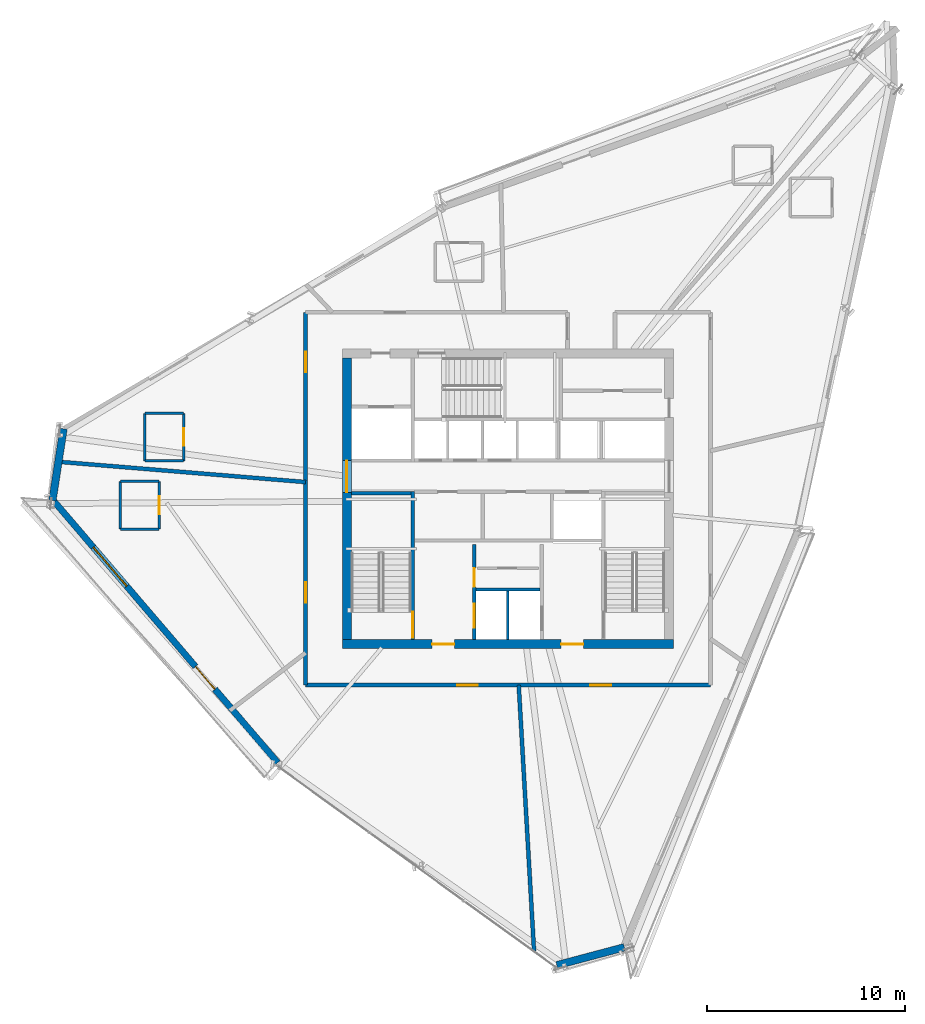
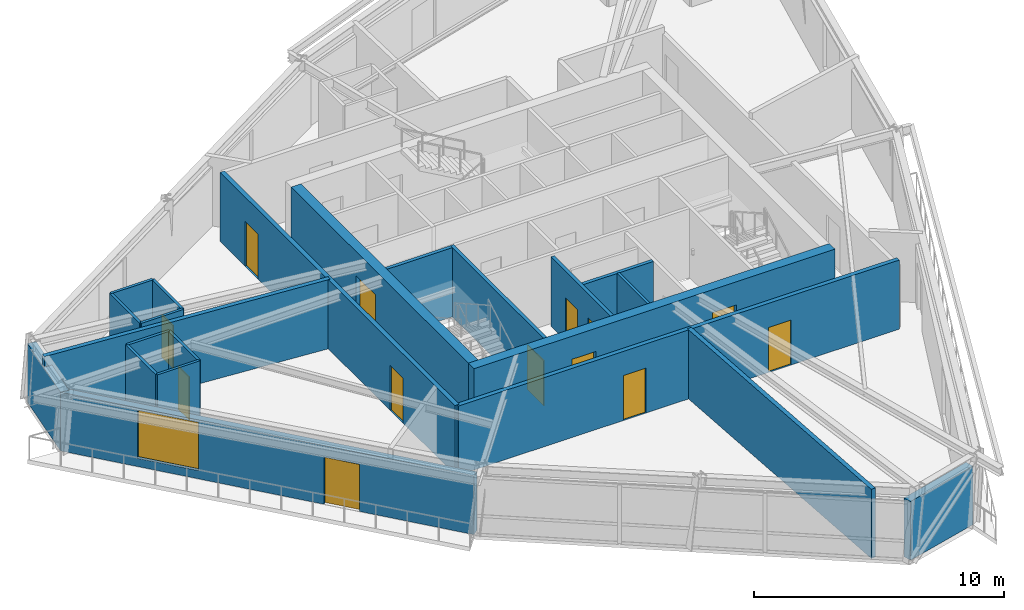
# One storey, part 8 of 14: 22 walls, 13 doors, 1 window, 14 openings.
"""IFC4 building model written with IfcOpenShell, lengths in metres."""

from ifc_helpers import new_model, si_unit, direction, frame, frame_2d, origin, place, context, subcontext, project, spatial, rectangle, extrude, source, transform, mapped, material, layer, layer_set, type_object, type_shapes, element, fill, save


model = new_model("IFC4")

# Units and contexts
model_context = context("Model", 3, precision=1e-05, world=origin(), true_north=direction((0.0, 1.0)))
body_context = subcontext(model_context, "Body", "Model", "MODEL_VIEW")
ifc_project = project(units=[si_unit("LENGTHUNIT", "METRE"), si_unit("AREAUNIT", "SQUARE_METRE"), si_unit("VOLUMEUNIT", "CUBIC_METRE"), si_unit("PLANEANGLEUNIT", "RADIAN"), si_unit("MASSUNIT", "GRAM", prefix="KILO")], contexts=[model_context])

# Site, building, storey
site_placement = place(None, origin())
site = spatial("IfcSite", under=ifc_project, at=site_placement, CompositionType="ELEMENT")
building_placement = place(site_placement, origin())
building = spatial("IfcBuilding", under=site, at=building_placement, Name="Olszyna Solenne Hotel", CompositionType="ELEMENT")
storey_placement = place(building_placement, frame((0.0, 0.0, 234.5)))
storey = spatial("IfcBuildingStorey", under=building, at=storey_placement, Name="L62", CompositionType="ELEMENT", Elevation=234.5)

# Wall, openings, doors
ifc_material_1 = material(Name="Concrete C50/60", Category="concrete")
ifc_layer_1 = layer(ifc_material_1, 0.449951171875, Name="Concrete C50/60")
ifc_layer_set_1 = layer_set([ifc_layer_1], Name="Concrete C50/60")
wall_type_1 = type_object("IfcWallType", Name="WL-CR450", PredefinedType="SHEAR", material=ifc_layer_set_1)
wall_1_placement = place(storey_placement, frame((46.35009765625, 19.27490234375, 0.0), z_axis=(0.0, 0.0, 1.0), x_axis=(-1.0, 0.0, 0.0)))
wall_1 = element("IfcWall", 1, at=wall_1_placement, inside=storey, type_object=wall_type_1, Name="Core shear wall WL-CR450 CRW-L62-S", PredefinedType="SHEAR", context=body_context, shape_type="SweptSolid", body=[
    extrude(rectangle(XDim=16.7001953125, YDim=0.449951171875, at=frame_2d((8.35009765625, 0.0))), origin(), (0.0, 0.0, 1.0), 3.3798828125),
])
opening_1_placement = place(wall_1_placement, frame((4.550048828125, 0.0, 0.0)))
opening_1 = element("IfcOpeningElement", 2, at=opening_1_placement, cuts=wall_1, Name="Opening FL-L62-1", PredefinedType="OPENING", context=body_context, shape_type="SweptSolid", body=[
    extrude(rectangle(XDim=1.1201171875, YDim=2.25, at=frame_2d((0.56005859375, 1.125))), frame((0.0, 0.23486328125, 0.0), z_axis=(0.0, -1.0, 0.0), x_axis=(1.0, 0.0, 0.0)), (0.0, 0.0, 1.0), 0.469970703125),
])
opening_2_placement = place(wall_1_placement, frame((11.050048828125, 0.0, 0.0)))
opening_2 = element("IfcOpeningElement", 3, at=opening_2_placement, cuts=wall_1, Name="Opening FL-L62-2", PredefinedType="OPENING", context=body_context, shape_type="SweptSolid", body=[
    extrude(rectangle(XDim=1.1201171875, YDim=2.25, at=frame_2d((0.56005859375, 1.125))), frame((0.0, 0.23486328125, 0.0), z_axis=(0.0, -1.0, 0.0), x_axis=(1.0, 0.0, 0.0)), (0.0, 0.0, 1.0), 0.469970703125),
])
ifc_material_2 = material(Name="Steel S355J2", Category="steel")
door_type_1 = type_object("IfcDoorType", Name="DR-FL1", OperationType="NOTDEFINED", PredefinedType="DOOR", material=ifc_material_2)
shared_shape_1 = source(origin(), body_context, "Body", "SweptSolid", [
    extrude(rectangle(XDim=1.1201171875, YDim=2.25, at=frame_2d((0.56005859375, 1.125))), frame((0.0, 0.02490234375, 0.0), z_axis=(0.0, -1.0, 0.0), x_axis=(1.0, 0.0, 0.0)), (0.0, 0.0, 1.0), 0.050048828125),
])
type_shapes(door_type_1, [shared_shape_1])
door_1_placement = place(opening_1_placement, origin())
door_1 = element("IfcDoor", 4, at=door_1_placement, inside=storey, type_object=door_type_1, Name="Firefighting lift lobby smoke door FL-L62-1", OperationType="SINGLE_SWING_LEFT", OverallHeight=2.25, OverallWidth=1.1201171875, PredefinedType="DOOR", context=body_context, shape_type="MappedRepresentation", body=[
    mapped(shared_shape_1, transform((0.0, 0.0, 0.0), x_axis=(1.0, 0.0, 0.0), y_axis=(0.0, 1.0, 0.0), z_axis=(0.0, 0.0, 1.0), scale=1.0)),
])
fill(opening_1, door_1)
door_2_placement = place(opening_2_placement, origin())
door_2 = element("IfcDoor", 5, at=door_2_placement, inside=storey, type_object=door_type_1, Name="Firefighting lift lobby smoke door FL-L62-2", OperationType="SINGLE_SWING_RIGHT", OverallHeight=2.25, OverallWidth=1.1201171875, PredefinedType="DOOR", context=body_context, shape_type="MappedRepresentation", body=[
    mapped(shared_shape_1, transform((0.0, 0.0, 0.0), x_axis=(1.0, 0.0, 0.0), y_axis=(0.0, 1.0, 0.0), z_axis=(0.0, 0.0, 1.0), scale=1.0)),
])
fill(opening_2, door_2)

# Wall, opening, door
wall_2_placement = place(storey_placement, frame((29.875, 19.5, 0.0), z_axis=(0.0, 0.0, 1.0), x_axis=(0.0, 1.0, 0.0)))
wall_2 = element("IfcWall", 6, at=wall_2_placement, inside=storey, type_object=wall_type_1, Name="Core shear wall WL-CR450 CRW-L62-W", PredefinedType="SHEAR", context=body_context, shape_type="SweptSolid", body=[
    extrude(rectangle(XDim=14.199951171875, YDim=0.449951171875, at=frame_2d((7.10009765625, 0.0))), origin(), (0.0, 0.0, 1.0), 3.3798828125),
])
opening_3_placement = place(wall_2_placement, frame((7.419921875, 0.0, 0.0)))
opening_3 = element("IfcOpeningElement", 7, at=opening_3_placement, cuts=wall_2, Name="Opening LHD-L62-W", PredefinedType="OPENING", context=body_context, shape_type="SweptSolid", body=[
    extrude(rectangle(XDim=1.60009765625, YDim=2.199951171875, at=frame_2d((0.800048828125, 1.10009765625))), frame((0.0, 0.23486328125, 0.0), z_axis=(0.0, -1.0, 0.0), x_axis=(1.0, 0.0, 0.0)), (0.0, 0.0, 1.0), 0.469970703125),
])
ifc_material_3 = material(Name="Timber hardwood", Category="wood")
door_type_2 = type_object("IfcDoorType", Name="DR-CR1", OperationType="DOUBLE_DOOR_SINGLE_SWING", PredefinedType="DOOR", material=ifc_material_3)
shared_shape_2 = source(origin(), body_context, "Body", "SweptSolid", [
    extrude(rectangle(XDim=1.60009765625, YDim=2.199951171875, at=frame_2d((0.800048828125, 1.10009765625))), frame((0.0, 0.02490234375, 0.0), z_axis=(0.0, -1.0, 0.0), x_axis=(1.0, 0.0, 0.0)), (0.0, 0.0, 1.0), 0.050048828125),
])
type_shapes(door_type_2, [shared_shape_2])
door_3_placement = place(opening_3_placement, origin())
door_3 = element("IfcDoor", 8, at=door_3_placement, inside=storey, type_object=door_type_2, Name="Passenger lift lobby West fire door LHD-L62-W", OperationType="DOUBLE_DOOR_SINGLE_SWING", OverallHeight=2.199951171875, OverallWidth=1.60009765625, PredefinedType="DOOR", context=body_context, shape_type="MappedRepresentation", body=[
    mapped(shared_shape_2, transform((0.0, 0.0, 0.0), x_axis=(1.0, 0.0, 0.0), y_axis=(0.0, 1.0, 0.0), z_axis=(0.0, 0.0, 1.0), scale=1.0)),
])
fill(opening_3, door_3)

# Wall, openings, door, window
ifc_material_4 = material(Name="Precast concrete C45/55", Category="concrete")
ifc_layer_2 = layer(ifc_material_4, 0.320068359375, Name="Precast concrete C45/55")
ifc_layer_set_2 = layer_set([ifc_layer_2], Name="Precast concrete C45/55")
wall_type_2 = type_object("IfcWallType", Name="WL-EX320", PredefinedType="SOLIDWALL", material=ifc_layer_set_2)
wall_3_placement = place(storey_placement, frame((26.392822265625, 13.293701171875, 0.0), z_axis=(0.0, 0.0, 1.0), x_axis=(-0.650264813907, 0.759707622573, 0.0)))
wall_3 = element("IfcWall", 9, at=wall_3_placement, inside=storey, type_object=wall_type_2, Name="Exterior terracotta-precast frame wall WL-EX320 EW-L62-04", PredefinedType="SOLIDWALL", context=body_context, shape_type="SweptSolid", body=[
    extrude(rectangle(XDim=17.569580078125, YDim=0.320068359375, at=frame_2d((8.78466796875, 0.0))), origin(), (0.0, 0.0, 1.0), 2.8720703125),
])
opening_4_placement = place(wall_3_placement, frame((4.8720703125, 0.0, 0.0)))
opening_4 = element("IfcOpeningElement", 10, at=opening_4_placement, cuts=wall_3, Name="Opening LDG-L62-2", PredefinedType="OPENING", context=body_context, shape_type="SweptSolid", body=[
    extrude(rectangle(XDim=1.5, YDim=2.300048828125, at=frame_2d((0.75, 1.14990234375))), frame((0.0, 0.169921875, 0.0), z_axis=(0.0, -1.0, 0.0), x_axis=(1.0, 0.0, 0.0)), (0.0, 0.0, 1.0), 0.340087890625),
])
opening_5_placement = place(wall_3_placement, frame((11.700927734375, 0.0, 0.402099609375)))
opening_5 = element("IfcOpeningElement", 11, at=opening_5_placement, cuts=wall_3, Name="Opening WN-L62-403", PredefinedType="OPENING", context=body_context, shape_type="SweptSolid", body=[
    extrude(rectangle(XDim=2.60009765625, YDim=2.35009765625, at=frame_2d((1.300048828125, 1.175048828125))), frame((0.0, 0.169921875, 0.0), z_axis=(0.0, -1.0, 0.0), x_axis=(1.0, 0.0, 0.0)), (0.0, 0.0, 1.0), 0.340087890625),
])
ifc_material_5 = material(Name="Anodised bronze aluminium", Category="aluminium")
door_type_3 = type_object("IfcDoorType", Name="DR-LG2", OperationType="DOUBLE_DOOR_SINGLE_SWING", PredefinedType="DOOR", material=ifc_material_5)
shared_shape_3 = source(origin(), body_context, "Body", "SweptSolid", [
    extrude(rectangle(XDim=1.5, YDim=2.300048828125, at=frame_2d((0.75, 1.14990234375))), frame((0.0, 0.02490234375, 0.0), z_axis=(0.0, -1.0, 0.0), x_axis=(1.0, 0.0, 0.0)), (0.0, 0.0, 1.0), 0.050048828125),
])
type_shapes(door_type_3, [shared_shape_3])
door_4_placement = place(opening_4_placement, origin())
door_4 = element("IfcDoor", 12, at=door_4_placement, inside=storey, type_object=door_type_3, Name="Exterior loggia balcony door DR-LG2 LDG-L62-2", OperationType="DOUBLE_DOOR_SINGLE_SWING", OverallHeight=2.300048828125, OverallWidth=1.5, PredefinedType="DOOR", context=body_context, shape_type="MappedRepresentation", body=[
    mapped(shared_shape_3, transform((0.0, 0.0, 0.0), x_axis=(1.0, 0.0, 0.0), y_axis=(0.0, 1.0, 0.0), z_axis=(0.0, 0.0, 1.0), scale=1.0)),
])
fill(opening_4, door_4)
ifc_material_6 = material(Name="Low-E triple glazing", Category="glass")
window_type = type_object("IfcWindowType", Name="WN-ST1", PartitioningType="SINGLE_PANEL", PredefinedType="WINDOW", material=ifc_material_6)
shared_shape_4 = source(origin(), body_context, "Body", "SweptSolid", [
    extrude(rectangle(XDim=2.60009765625, YDim=2.35009765625, at=frame_2d((1.300048828125, 1.175048828125))), frame((0.0, 0.030029296875, 0.0), z_axis=(0.0, -1.0, 0.0), x_axis=(1.0, 0.0, 0.0)), (0.0, 0.0, 1.0), 0.06005859375),
])
type_shapes(window_type, [shared_shape_4])
window_placement = place(opening_5_placement, origin())
window = element("IfcWindow", 13, at=window_placement, inside=storey, type_object=window_type, Name="Loggia room window WN-ST1 WN-L62-403", OverallHeight=2.35009765625, OverallWidth=2.60009765625, PartitioningType="SINGLE_PANEL", PredefinedType="WINDOW", context=body_context, shape_type="MappedRepresentation", body=[
    mapped(shared_shape_4, transform((0.0, 0.0, 0.0), x_axis=(1.0, 0.0, 0.0), y_axis=(0.0, 1.0, 0.0), z_axis=(0.0, 0.0, 1.0), scale=1.0)),
])
fill(opening_5, window)

# Walls
ifc_material_7 = material(Name="Terracotta cladding on precast concrete C45/55", Category="masonry")
ifc_layer_3 = layer(ifc_material_7, 0.3798828125, Name="Terracotta cladding on precast concrete C45/55")
ifc_layer_set_3 = layer_set([ifc_layer_3], Name="Terracotta cladding on precast concrete C45/55")
wall_type_3 = type_object("IfcWallType", Name="WL-EX380", PredefinedType="SOLIDWALL", material=ifc_layer_set_3)
wall_4_placement = place(storey_placement, frame((43.868408203125, 3.98779296875, 0.0), z_axis=(0.0, 0.0, 1.0), x_axis=(-0.96637388207, -0.25714105089, 0.0)))
element("IfcWall", 14, at=wall_4_placement, inside=storey, type_object=wall_type_3, Name="Exterior terracotta-precast frame wall WL-EX380 EW-L62-02", PredefinedType="SOLIDWALL", context=body_context, shape_type="SweptSolid", body=[
    extrude(rectangle(XDim=3.525390625, YDim=0.3798828125, at=frame_2d((1.7626953125, 0.0))), origin(), (0.0, 0.0, 1.0), 2.8720703125),
])
wall_5_placement = place(storey_placement, frame((15.0341796875, 26.50830078125, 0.0), z_axis=(0.0, 0.0, 1.0), x_axis=(0.152964443896, 0.988231692926, 0.0)))
element("IfcWall", 15, at=wall_5_placement, inside=storey, type_object=wall_type_3, Name="Exterior terracotta-precast frame wall WL-EX380 EW-L62-05", PredefinedType="SOLIDWALL", context=body_context, shape_type="SweptSolid", body=[
    extrude(rectangle(XDim=3.65966796875, YDim=0.3798828125, at=frame_2d((1.829833984375, 0.0))), origin(), (0.0, 0.0, 1.0), 2.8720703125),
])
ifc_material_8 = material(Name="Acoustic gypsum partition", Category="gypsum")
ifc_layer_4 = layer(ifc_material_8, 0.125, Name="Acoustic gypsum partition")
ifc_layer_set_4 = layer_set([ifc_layer_4], Name="Acoustic gypsum partition")
wall_type_4 = type_object("IfcWallType", Name="WL-PT125", PredefinedType="PARTITIONING", material=ifc_layer_set_4)
wall_6_placement = place(storey_placement, frame((38.0, 19.5, 0.0), z_axis=(0.0, 0.0, 1.0), x_axis=(0.0, 1.0, 0.0)))
element("IfcWall", 16, at=wall_6_placement, inside=storey, type_object=wall_type_4, Name="Core shaft compartment wall CW-L62-FFM", PredefinedType="PARTITIONING", context=body_context, shape_type="SweptSolid", body=[
    extrude(rectangle(XDim=2.4599609375, YDim=0.125, at=frame_2d((1.22998046875, 0.0))), origin(), (0.0, 0.0, 1.0), 3.3798828125),
])

# Wall, opening, door
wall_7_placement = place(storey_placement, frame((21.64501953125, 28.509033203125, 0.0), z_axis=(0.0, 0.0, 1.0), x_axis=(0.0, 1.0, 0.0)))
wall_7 = element("IfcWall", 17, at=wall_7_placement, inside=storey, type_object=wall_type_4, Name="Interior acoustic partition WL-PT125 PW-L62-3442", PredefinedType="PARTITIONING", context=body_context, shape_type="SweptSolid", body=[
    extrude(rectangle(XDim=2.39990234375, YDim=0.125, at=frame_2d((1.199951171875, 0.0))), origin(), (0.0, 0.0, 1.0), 3.3798828125),
])
opening_6_placement = place(wall_7_placement, frame((0.75, 0.0, 0.0)))
opening_6 = element("IfcOpeningElement", 18, at=opening_6_placement, cuts=wall_7, Name="Opening DR-L62-0838", PredefinedType="OPENING", context=body_context, shape_type="SweptSolid", body=[
    extrude(rectangle(XDim=0.89990234375, YDim=2.10009765625, at=frame_2d((0.449951171875, 1.050048828125))), frame((0.0, 0.072509765625, 0.0), z_axis=(0.0, -1.0, 0.0), x_axis=(1.0, 0.0, 0.0)), (0.0, 0.0, 1.0), 0.14501953125),
])
door_type_4 = type_object("IfcDoorType", Name="DR-WC1", OperationType="NOTDEFINED", PredefinedType="DOOR", material=ifc_material_3)
shared_shape_5 = source(origin(), body_context, "Body", "SweptSolid", [
    extrude(rectangle(XDim=0.89990234375, YDim=2.10009765625, at=frame_2d((0.449951171875, 1.050048828125))), frame((0.0, 0.02490234375, 0.0), z_axis=(0.0, -1.0, 0.0), x_axis=(1.0, 0.0, 0.0)), (0.0, 0.0, 1.0), 0.050048828125),
])
type_shapes(door_type_4, [shared_shape_5])
door_5_placement = place(opening_6_placement, origin())
door_5 = element("IfcDoor", 19, at=door_5_placement, inside=storey, type_object=door_type_4, Name="En-Suite Bathroom Door DR-L62-0838", OperationType="SINGLE_SWING_LEFT", OverallHeight=2.10009765625, OverallWidth=0.89990234375, PredefinedType="DOOR", context=body_context, shape_type="MappedRepresentation", body=[
    mapped(shared_shape_5, transform((0.0, 0.0, 0.0), x_axis=(1.0, 0.0, 0.0), y_axis=(0.0, 1.0, 0.0), z_axis=(0.0, 0.0, 1.0), scale=1.0)),
])
fill(opening_6, door_5)

# Walls
wall_8_placement = place(storey_placement, frame((21.64501953125, 30.908935546875, 0.0), z_axis=(0.0, 0.0, 1.0), x_axis=(-1.0, 0.0, 0.0)))
element("IfcWall", 20, at=wall_8_placement, inside=storey, type_object=wall_type_4, Name="Interior acoustic partition WL-PT125 PW-L62-3443", PredefinedType="PARTITIONING", context=body_context, shape_type="SweptSolid", body=[
    extrude(rectangle(XDim=1.949951171875, YDim=0.125, at=frame_2d((0.97509765625, 0.0))), origin(), (0.0, 0.0, 1.0), 3.3798828125),
])
wall_9_placement = place(storey_placement, frame((19.695068359375, 30.908935546875, 0.0), z_axis=(0.0, 0.0, 1.0), x_axis=(0.0, -1.0, 0.0)))
element("IfcWall", 21, at=wall_9_placement, inside=storey, type_object=wall_type_4, Name="Interior acoustic partition WL-PT125 PW-L62-3444", PredefinedType="PARTITIONING", context=body_context, shape_type="SweptSolid", body=[
    extrude(rectangle(XDim=2.39990234375, YDim=0.125, at=frame_2d((1.199951171875, 0.0))), origin(), (0.0, 0.0, 1.0), 3.3798828125),
])
wall_10_placement = place(storey_placement, frame((19.695068359375, 28.509033203125, 0.0), z_axis=(0.0, 0.0, 1.0), x_axis=(1.0, 0.0, 0.0)))
element("IfcWall", 22, at=wall_10_placement, inside=storey, type_object=wall_type_4, Name="Interior acoustic partition WL-PT125 PW-L62-3445", PredefinedType="PARTITIONING", context=body_context, shape_type="SweptSolid", body=[
    extrude(rectangle(XDim=1.949951171875, YDim=0.125, at=frame_2d((0.97509765625, 0.0))), origin(), (0.0, 0.0, 1.0), 3.3798828125),
])

# Wall, opening, door
wall_11_placement = place(storey_placement, frame((20.4130859375, 25.072998046875, 0.0), z_axis=(0.0, 0.0, 1.0), x_axis=(0.0, 1.0, 0.0)))
wall_11 = element("IfcWall", 23, at=wall_11_placement, inside=storey, type_object=wall_type_4, Name="Interior acoustic partition WL-PT125 PW-L62-3446", PredefinedType="PARTITIONING", context=body_context, shape_type="SweptSolid", body=[
    extrude(rectangle(XDim=2.39990234375, YDim=0.125, at=frame_2d((1.199951171875, 0.0))), origin(), (0.0, 0.0, 1.0), 3.3798828125),
])
opening_7_placement = place(wall_11_placement, frame((0.75, 0.0, 0.0)))
opening_7 = element("IfcOpeningElement", 24, at=opening_7_placement, cuts=wall_11, Name="Opening DR-L62-0839", PredefinedType="OPENING", context=body_context, shape_type="SweptSolid", body=[
    extrude(rectangle(XDim=0.89990234375, YDim=2.10009765625, at=frame_2d((0.449951171875, 1.050048828125))), frame((0.0, 0.072509765625, 0.0), z_axis=(0.0, -1.0, 0.0), x_axis=(1.0, 0.0, 0.0)), (0.0, 0.0, 1.0), 0.14501953125),
])
door_6_placement = place(opening_7_placement, origin())
door_6 = element("IfcDoor", 25, at=door_6_placement, inside=storey, type_object=door_type_4, Name="En-Suite Bathroom Door DR-L62-0839", OperationType="SINGLE_SWING_LEFT", OverallHeight=2.10009765625, OverallWidth=0.89990234375, PredefinedType="DOOR", context=body_context, shape_type="MappedRepresentation", body=[
    mapped(shared_shape_5, transform((0.0, 0.0, 0.0), x_axis=(1.0, 0.0, 0.0), y_axis=(0.0, 1.0, 0.0), z_axis=(0.0, 0.0, 1.0), scale=1.0)),
])
fill(opening_7, door_6)

# Walls
wall_12_placement = place(storey_placement, frame((20.4130859375, 27.472900390625, 0.0), z_axis=(0.0, 0.0, 1.0), x_axis=(-1.0, 0.0, 0.0)))
element("IfcWall", 26, at=wall_12_placement, inside=storey, type_object=wall_type_4, Name="Interior acoustic partition WL-PT125 PW-L62-3447", PredefinedType="PARTITIONING", context=body_context, shape_type="SweptSolid", body=[
    extrude(rectangle(XDim=1.9501953125, YDim=0.125, at=frame_2d((0.97509765625, 0.0))), origin(), (0.0, 0.0, 1.0), 3.3798828125),
])
wall_13_placement = place(storey_placement, frame((18.462890625, 27.472900390625, 0.0), z_axis=(0.0, 0.0, 1.0), x_axis=(0.0, -1.0, 0.0)))
element("IfcWall", 27, at=wall_13_placement, inside=storey, type_object=wall_type_4, Name="Interior acoustic partition WL-PT125 PW-L62-3448", PredefinedType="PARTITIONING", context=body_context, shape_type="SweptSolid", body=[
    extrude(rectangle(XDim=2.39990234375, YDim=0.125, at=frame_2d((1.199951171875, 0.0))), origin(), (0.0, 0.0, 1.0), 3.3798828125),
])
wall_14_placement = place(storey_placement, frame((18.462890625, 25.072998046875, 0.0), z_axis=(0.0, 0.0, 1.0), x_axis=(1.0, 0.0, 0.0)))
element("IfcWall", 28, at=wall_14_placement, inside=storey, type_object=wall_type_4, Name="Interior acoustic partition WL-PT125 PW-L62-3449", PredefinedType="PARTITIONING", context=body_context, shape_type="SweptSolid", body=[
    extrude(rectangle(XDim=1.9501953125, YDim=0.125, at=frame_2d((0.97509765625, 0.0))), origin(), (0.0, 0.0, 1.0), 3.3798828125),
])

# Wall, opening, door
ifc_layer_5 = layer(ifc_material_8, 0.159912109375, Name="Acoustic gypsum partition")
ifc_layer_set_5 = layer_set([ifc_layer_5], Name="Acoustic gypsum partition")
wall_type_5 = type_object("IfcWallType", Name="WL-PT160", PredefinedType="PARTITIONING", material=ifc_layer_set_5)
wall_15_placement = place(storey_placement, frame((33.199951171875, 19.5, 0.0), z_axis=(0.0, 0.0, 1.0), x_axis=(0.0, 1.0, 0.0)))
wall_15 = element("IfcWall", 29, at=wall_15_placement, inside=storey, type_object=wall_type_5, Name="Core shaft compartment wall CW-L62-ST1E", PredefinedType="PARTITIONING", context=body_context, shape_type="SweptSolid", body=[
    extrude(rectangle(XDim=7.4599609375, YDim=0.159912109375, at=frame_2d((3.72998046875, 0.0))), origin(), (0.0, 0.0, 1.0), 3.3798828125),
])
opening_8_placement = place(wall_15_placement, frame((0.080078125, 0.0, 0.0)))
opening_8 = element("IfcOpeningElement", 30, at=opening_8_placement, cuts=wall_15, Name="Opening STD-L62-01", PredefinedType="OPENING", context=body_context, shape_type="SweptSolid", body=[
    extrude(rectangle(XDim=1.320068359375, YDim=2.199951171875, at=frame_2d((0.66015625, 1.10009765625))), frame((0.0, 0.08984375, 0.0), z_axis=(0.0, -1.0, 0.0), x_axis=(1.0, 0.0, 0.0)), (0.0, 0.0, 1.0), 0.179931640625),
])
door_type_5 = type_object("IfcDoorType", Name="DR-ST1", OperationType="NOTDEFINED", PredefinedType="DOOR", material=ifc_material_2)
shared_shape_6 = source(origin(), body_context, "Body", "SweptSolid", [
    extrude(rectangle(XDim=1.320068359375, YDim=2.199951171875, at=frame_2d((0.66015625, 1.10009765625))), frame((0.0, 0.02490234375, 0.0), z_axis=(0.0, -1.0, 0.0), x_axis=(1.0, 0.0, 0.0)), (0.0, 0.0, 1.0), 0.050048828125),
])
type_shapes(door_type_5, [shared_shape_6])
door_7_placement = place(opening_8_placement, origin())
door_7 = element("IfcDoor", 31, at=door_7_placement, inside=storey, type_object=door_type_5, Name="Pressurised exit stair ST1 fire door STD-L62-01", OperationType="SINGLE_SWING_LEFT", OverallHeight=2.199951171875, OverallWidth=1.320068359375, PredefinedType="DOOR", context=body_context, shape_type="MappedRepresentation", body=[
    mapped(shared_shape_6, transform((0.0, 0.0, 0.0), x_axis=(1.0, 0.0, 0.0), y_axis=(0.0, 1.0, 0.0), z_axis=(0.0, 0.0, 1.0), scale=1.0)),
])
fill(opening_8, door_7)

# Wall
wall_16_placement = place(storey_placement, frame((30.10009765625, 26.8798828125, 0.0), z_axis=(0.0, 0.0, 1.0), x_axis=(1.0, 0.0, 0.0)))
element("IfcWall", 32, at=wall_16_placement, inside=storey, type_object=wall_type_5, Name="Core shaft compartment wall CW-L62-ST1N", PredefinedType="PARTITIONING", context=body_context, shape_type="SweptSolid", body=[
    extrude(rectangle(XDim=3.02001953125, YDim=0.159912109375, at=frame_2d((1.510009765625, 0.0))), origin(), (0.0, 0.0, 1.0), 3.3798828125),
])

# Wall, openings, doors
wall_17_placement = place(storey_placement, frame((36.300048828125, 19.5, 0.0), z_axis=(0.0, 0.0, 1.0), x_axis=(0.0, 1.0, 0.0)))
wall_17 = element("IfcWall", 33, at=wall_17_placement, inside=storey, type_object=wall_type_5, Name="Core shaft compartment wall CW-L62-FF1W", PredefinedType="PARTITIONING", context=body_context, shape_type="SweptSolid", body=[
    extrude(rectangle(XDim=4.780029296875, YDim=0.159912109375, at=frame_2d((2.39013671875, 0.0))), origin(), (0.0, 0.0, 1.0), 3.3798828125),
])
opening_9_placement = place(wall_17_placement, frame((0.60009765625, 0.0, 0.0)))
opening_9 = element("IfcOpeningElement", 34, at=opening_9_placement, cuts=wall_17, Name="Opening LD-L62-FF1", PredefinedType="OPENING", context=body_context, shape_type="SweptSolid", body=[
    extrude(rectangle(XDim=1.199951171875, YDim=2.199951171875, at=frame_2d((0.60009765625, 1.10009765625))), frame((0.0, 0.08984375, 0.0), z_axis=(0.0, -1.0, 0.0), x_axis=(1.0, 0.0, 0.0)), (0.0, 0.0, 1.0), 0.179931640625),
])
opening_10_placement = place(wall_17_placement, frame((2.64990234375, 0.0, 0.0)))
opening_10 = element("IfcOpeningElement", 35, at=opening_10_placement, cuts=wall_17, Name="Opening SVD-L62-SMK", PredefinedType="OPENING", context=body_context, shape_type="SweptSolid", body=[
    extrude(rectangle(XDim=0.949951171875, YDim=2.10009765625, at=frame_2d((0.47509765625, 1.050048828125))), frame((0.0, 0.08984375, 0.0), z_axis=(0.0, -1.0, 0.0), x_axis=(1.0, 0.0, 0.0)), (0.0, 0.0, 1.0), 0.179931640625),
])
door_type_6 = type_object("IfcDoorType", Name="DR-SV1", OperationType="NOTDEFINED", PredefinedType="DOOR", material=ifc_material_2)
shared_shape_7 = source(origin(), body_context, "Body", "SweptSolid", [
    extrude(rectangle(XDim=0.949951171875, YDim=2.10009765625, at=frame_2d((0.47509765625, 1.050048828125))), frame((0.0, 0.02490234375, 0.0), z_axis=(0.0, -1.0, 0.0), x_axis=(1.0, 0.0, 0.0)), (0.0, 0.0, 1.0), 0.050048828125),
])
type_shapes(door_type_6, [shared_shape_7])
door_8_placement = place(opening_10_placement, origin())
door_8 = element("IfcDoor", 36, at=door_8_placement, inside=storey, type_object=door_type_6, Name="Valet and core service room door SVD-L62-SMK", OperationType="SINGLE_SWING_LEFT", OverallHeight=2.10009765625, OverallWidth=0.949951171875, PredefinedType="DOOR", context=body_context, shape_type="MappedRepresentation", body=[
    mapped(shared_shape_7, transform((0.0, 0.0, 0.0), x_axis=(1.0, 0.0, 0.0), y_axis=(0.0, 1.0, 0.0), z_axis=(0.0, 0.0, 1.0), scale=1.0)),
])
fill(opening_10, door_8)
door_type_7 = type_object("IfcDoorType", Name="LD-FF1", OperationType="DOUBLE_DOOR_SLIDING", PredefinedType="DOOR", material=ifc_material_2)
shared_shape_8 = source(origin(), body_context, "Body", "SweptSolid", [
    extrude(rectangle(XDim=1.199951171875, YDim=2.199951171875, at=frame_2d((0.60009765625, 1.10009765625))), frame((0.0, 0.02490234375, 0.0), z_axis=(0.0, -1.0, 0.0), x_axis=(1.0, 0.0, 0.0)), (0.0, 0.0, 1.0), 0.050048828125),
])
type_shapes(door_type_7, [shared_shape_8])
door_9_placement = place(opening_9_placement, origin())
door_9 = element("IfcDoor", 37, at=door_9_placement, inside=storey, type_object=door_type_7, Name="Firefighters lift FF1 sliding landing door LD-L62-FF1", OperationType="DOUBLE_DOOR_SLIDING", OverallHeight=2.199951171875, OverallWidth=1.199951171875, PredefinedType="DOOR", context=body_context, shape_type="MappedRepresentation", body=[
    mapped(shared_shape_8, transform((0.0, 0.0, 0.0), x_axis=(1.0, 0.0, 0.0), y_axis=(0.0, 1.0, 0.0), z_axis=(0.0, 0.0, 1.0), scale=1.0)),
])
fill(opening_9, door_9)

# Walls
wall_18_placement = place(storey_placement, frame((36.3798828125, 22.02001953125, 0.0), z_axis=(0.0, 0.0, 1.0), x_axis=(1.0, 0.0, 0.0)))
element("IfcWall", 38, at=wall_18_placement, inside=storey, type_object=wall_type_5, Name="Core shaft compartment wall CW-L62-FFN", PredefinedType="PARTITIONING", context=body_context, shape_type="SweptSolid", body=[
    extrude(rectangle(XDim=3.240234375, YDim=0.159912109375, at=frame_2d((1.6201171875, 0.0))), origin(), (0.0, 0.0, 1.0), 3.3798828125),
])
ifc_layer_6 = layer(ifc_material_8, 0.199951171875, Name="Acoustic gypsum partition")
ifc_layer_set_6 = layer_set([ifc_layer_6], Name="Acoustic gypsum partition")
wall_type_6 = type_object("IfcWallType", Name="WL-PT200", PredefinedType="PARTITIONING", material=ifc_layer_set_6)
wall_19_placement = place(storey_placement, frame((27.800048828125, 27.438720703125, 0.0), z_axis=(0.0, 0.0, 1.0), x_axis=(-0.996638842389, 0.081920802246, 0.0)))
element("IfcWall", 39, at=wall_19_placement, inside=storey, type_object=wall_type_6, Name="Interior acoustic partition WL-PT200 PW-L62-3429", PredefinedType="PARTITIONING", context=body_context, shape_type="SweptSolid", body=[
    extrude(rectangle(XDim=12.665771484375, YDim=0.199951171875, at=frame_2d((6.3330078125, 0.0))), origin(), (0.0, 0.0, 1.0), 3.3798828125),
])
wall_20_placement = place(storey_placement, frame((38.5419921875, 17.199951171875, 0.0), z_axis=(0.0, 0.0, 1.0), x_axis=(0.057565160189, -0.998341751272, 0.0)))
element("IfcWall", 40, at=wall_20_placement, inside=storey, type_object=wall_type_6, Name="Interior acoustic partition WL-PT200 PW-L62-3431", PredefinedType="PARTITIONING", context=body_context, shape_type="SweptSolid", body=[
    extrude(rectangle(XDim=13.423095703125, YDim=0.199951171875, at=frame_2d((6.71142578125, 0.0))), origin(), (0.0, 0.0, 1.0), 3.3798828125),
])

# Wall, openings, doors
wall_21_placement = place(storey_placement, frame((27.800048828125, 17.199951171875, 0.0), z_axis=(0.0, 0.0, 1.0), x_axis=(1.0, 0.0, 0.0)))
wall_21 = element("IfcWall", 41, at=wall_21_placement, inside=storey, type_object=wall_type_6, Name="Interior acoustic partition WL-PT200 PW-L62-3454", PredefinedType="PARTITIONING", context=body_context, shape_type="SweptSolid", body=[
    extrude(rectangle(XDim=20.39990234375, YDim=0.199951171875, at=frame_2d((10.199951171875, 0.0))), origin(), (0.0, 0.0, 1.0), 3.3798828125),
])
opening_11_placement = place(wall_21_placement, frame((7.635986328125, 0.0, 0.0)))
opening_11 = element("IfcOpeningElement", 42, at=opening_11_placement, cuts=wall_21, Name="Opening DR-L62-0841", PredefinedType="OPENING", context=body_context, shape_type="SweptSolid", body=[
    extrude(rectangle(XDim=1.050048828125, YDim=2.199951171875, at=frame_2d((0.52490234375, 1.10009765625))), frame((0.0, 0.10986328125, 0.0), z_axis=(0.0, -1.0, 0.0), x_axis=(1.0, 0.0, 0.0)), (0.0, 0.0, 1.0), 0.219970703125),
])
opening_12_placement = place(wall_21_placement, frame((14.344970703125, 0.0, 0.0)))
opening_12 = element("IfcOpeningElement", 43, at=opening_12_placement, cuts=wall_21, Name="Opening DR-L62-0842", PredefinedType="OPENING", context=body_context, shape_type="SweptSolid", body=[
    extrude(rectangle(XDim=1.050048828125, YDim=2.199951171875, at=frame_2d((0.52490234375, 1.10009765625))), frame((0.0, 0.10986328125, 0.0), z_axis=(0.0, -1.0, 0.0), x_axis=(1.0, 0.0, 0.0)), (0.0, 0.0, 1.0), 0.219970703125),
])
door_type_8 = type_object("IfcDoorType", Name="DR-RM2", OperationType="NOTDEFINED", PredefinedType="DOOR", material=ifc_material_3)
shared_shape_9 = source(origin(), body_context, "Body", "SweptSolid", [
    extrude(rectangle(XDim=1.050048828125, YDim=2.199951171875, at=frame_2d((0.52490234375, 1.10009765625))), frame((0.0, 0.02490234375, 0.0), z_axis=(0.0, -1.0, 0.0), x_axis=(1.0, 0.0, 0.0)), (0.0, 0.0, 1.0), 0.050048828125),
])
type_shapes(door_type_8, [shared_shape_9])
door_10_placement = place(opening_11_placement, origin())
door_10 = element("IfcDoor", 44, at=door_10_placement, inside=storey, type_object=door_type_8, Name="Breakfast Tasting Salon Entrance Door DR-L62-0841", OperationType="SINGLE_SWING_LEFT", OverallHeight=2.199951171875, OverallWidth=1.050048828125, PredefinedType="DOOR", context=body_context, shape_type="MappedRepresentation", body=[
    mapped(shared_shape_9, transform((0.0, 0.0, 0.0), x_axis=(1.0, 0.0, 0.0), y_axis=(0.0, 1.0, 0.0), z_axis=(0.0, 0.0, 1.0), scale=1.0)),
])
fill(opening_11, door_10)
door_11_placement = place(opening_12_placement, origin())
door_11 = element("IfcDoor", 45, at=door_11_placement, inside=storey, type_object=door_type_8, Name="Boutique Art Gallery Entrance Door DR-L62-0842", OperationType="SINGLE_SWING_RIGHT", OverallHeight=2.199951171875, OverallWidth=1.050048828125, PredefinedType="DOOR", context=body_context, shape_type="MappedRepresentation", body=[
    mapped(shared_shape_9, transform((0.0, 0.0, 0.0), x_axis=(1.0, 0.0, 0.0), y_axis=(0.0, 1.0, 0.0), z_axis=(0.0, 0.0, 1.0), scale=1.0)),
])
fill(opening_12, door_11)

wall_22_placement = place(storey_placement, frame((27.800048828125, 17.199951171875, 0.0), z_axis=(0.0, 0.0, 1.0), x_axis=(0.0, 1.0, 0.0)))
wall_22 = element("IfcWall", 46, at=wall_22_placement, inside=storey, type_object=wall_type_6, Name="Interior acoustic partition WL-PT200 PW-L62-3455", PredefinedType="PARTITIONING", context=body_context, shape_type="SweptSolid", body=[
    extrude(rectangle(XDim=18.800048828125, YDim=0.199951171875, at=frame_2d((9.39990234375, 0.0))), origin(), (0.0, 0.0, 1.0), 3.3798828125),
])
opening_13_placement = place(wall_22_placement, frame((15.77001953125, 0.0, 0.0)))
opening_13 = element("IfcOpeningElement", 47, at=opening_13_placement, cuts=wall_22, Name="Opening DR-L62-0843", PredefinedType="OPENING", context=body_context, shape_type="SweptSolid", body=[
    extrude(rectangle(XDim=1.050048828125, YDim=2.199951171875, at=frame_2d((0.52490234375, 1.10009765625))), frame((0.0, 0.10986328125, 0.0), z_axis=(0.0, -1.0, 0.0), x_axis=(1.0, 0.0, 0.0)), (0.0, 0.0, 1.0), 0.219970703125),
])
opening_14_placement = place(wall_22_placement, frame((4.14794921875, 0.0, 0.0)))
opening_14 = element("IfcOpeningElement", 48, at=opening_14_placement, cuts=wall_22, Name="Opening DR-L62-0844", PredefinedType="OPENING", context=body_context, shape_type="SweptSolid", body=[
    extrude(rectangle(XDim=1.050048828125, YDim=2.199951171875, at=frame_2d((0.52490234375, 1.10009765625))), frame((0.0, 0.10986328125, 0.0), z_axis=(0.0, -1.0, 0.0), x_axis=(1.0, 0.0, 0.0)), (0.0, 0.0, 1.0), 0.219970703125),
])
door_12_placement = place(opening_13_placement, origin())
door_12 = element("IfcDoor", 49, at=door_12_placement, inside=storey, type_object=door_type_8, Name="Deluxe Hotel Guestroom Entrance Door DR-L62-0843", OperationType="SINGLE_SWING_LEFT", OverallHeight=2.199951171875, OverallWidth=1.050048828125, PredefinedType="DOOR", context=body_context, shape_type="MappedRepresentation", body=[
    mapped(shared_shape_9, transform((0.0, 0.0, 0.0), x_axis=(1.0, 0.0, 0.0), y_axis=(0.0, 1.0, 0.0), z_axis=(0.0, 0.0, 1.0), scale=1.0)),
])
fill(opening_13, door_12)
door_13_placement = place(opening_14_placement, origin())
door_13 = element("IfcDoor", 50, at=door_13_placement, inside=storey, type_object=door_type_8, Name="Deluxe Hotel Guestroom Entrance Door DR-L62-0844", OperationType="SINGLE_SWING_RIGHT", OverallHeight=2.199951171875, OverallWidth=1.050048828125, PredefinedType="DOOR", context=body_context, shape_type="MappedRepresentation", body=[
    mapped(shared_shape_9, transform((0.0, 0.0, 0.0), x_axis=(1.0, 0.0, 0.0), y_axis=(0.0, 1.0, 0.0), z_axis=(0.0, 0.0, 1.0), scale=1.0)),
])
fill(opening_14, door_13)

save(model, "model.ifc")
